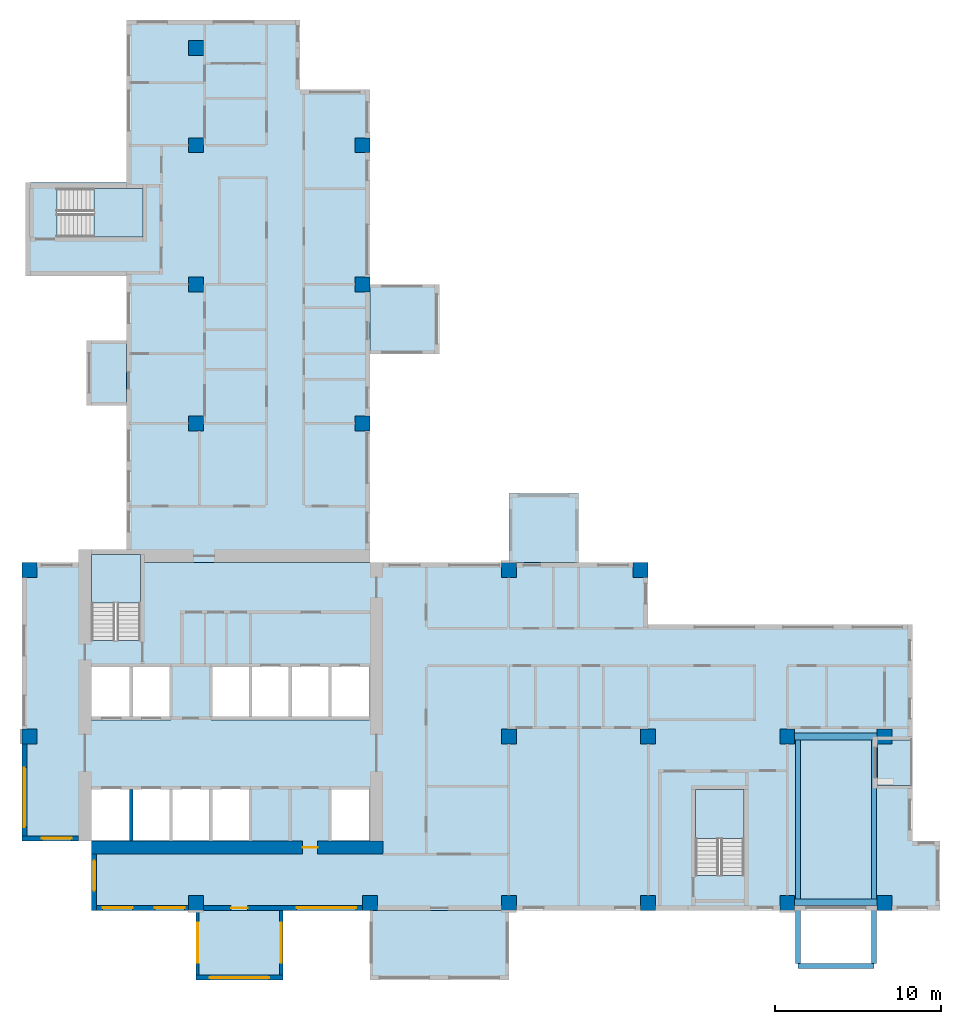
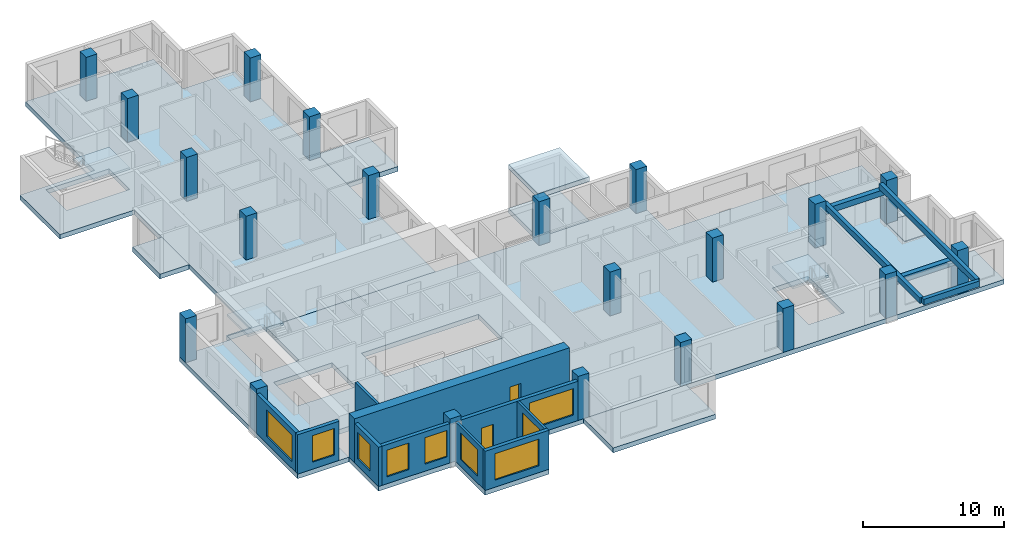
# One storey, part 1 of 12: 21 columns, 12 slabs, 10 walls, 9 windows, 5 beams, 2 doors, 11 openings, 3 elements without a shape of their own.
"""IFC4 building model written with IfcOpenShell, lengths in metres."""

from ifc_helpers import new_model, si_unit, direction, frame, frame_2d, origin, origin_2d, place, context, subcontext, project, spatial, polyline, rectangle, outline, extrude, source, transform, mapped, material, layer, layer_set, material_profile, profile_set, type_object, element, fill, aggregate, save


model = new_model("IFC4")

# Units and contexts
model_context = context("Model", 3, precision=1e-05, world=origin(), true_north=direction((0.0, 1.0)))
body_context = subcontext(model_context, "Body", "Model", "MODEL_VIEW")
ifc_project = project(units=[si_unit("LENGTHUNIT", "METRE"), si_unit("AREAUNIT", "SQUARE_METRE"), si_unit("VOLUMEUNIT", "CUBIC_METRE"), si_unit("PLANEANGLEUNIT", "RADIAN"), si_unit("MASSUNIT", "GRAM", prefix="KILO")], contexts=[model_context])

# Site, building, storey
site_placement = place(None, origin())
site = spatial("IfcSite", under=ifc_project, at=site_placement, CompositionType="ELEMENT")
building_placement = place(site_placement, origin())
building = spatial("IfcBuilding", under=site, at=building_placement, Name="Aurelian Terraces", CompositionType="ELEMENT")
storey_placement = place(building_placement, frame((0.0, 0.0, 219.6)))
storey = spatial("IfcBuildingStorey", under=building, at=storey_placement, Name="L49", CompositionType="ELEMENT", Elevation=219.6)

# Columns
ifc_material_1 = material(Name="Concrete fc' 70 MPa", Category="concrete")
ifc_material_profile_1 = material_profile(ifc_material_1, rectangle(XDim=0.9, YDim=0.9, at=origin_2d()))
ifc_profile_set_1 = profile_set([ifc_material_profile_1], Name="Concrete fc' 70 MPa")
column_type = type_object("IfcColumnType", Name="RC COLUMN 900X900 FC70", PredefinedType="COLUMN", material=ifc_profile_set_1)
shared_shape_1 = source(origin(), body_context, "Body", "SweptSolid", [
    extrude(rectangle(XDim=0.9, YDim=0.9, at=origin_2d()), origin(), (0.0, 0.0, 1.0), 3.8),
])
for number, where, z_axis, x_axis, name in (
    (1, (10.5, 0.45, 0.0), (0.0, 0.0, 1.0), (1.0, 0.0, 0.0), "Column 2/A L49"),
    (2, (21.0, 0.45, 0.0), (0.0, 0.0, 1.0), (1.0, 0.0, 0.0), "Column 3/A L49"),
    (3, (29.4, 0.45, 0.0), (0.0, 0.0, 1.0), (1.0, 0.0, 0.0), "Column 4/A L49"),
    (4, (37.8, 0.45, 0.0), (0.0, 0.0, 1.0), (1.0, 0.0, 0.0), "Column 5/A L49"),
    (5, (46.2, 0.45, 0.0), (0.0, 0.0, 1.0), (1.0, 0.0, 0.0), "Column 6/A L49"),
    (6, (52.08, 0.45, 0.0), (0.0, 0.0, 1.0), (1.0, 0.0, 0.0), "Column 7/A L49"),
    (7, (0.45, 10.5, 0.0), (0.0, 0.0, 1.0), (1.0, 0.0, 0.0), "Column 1/B L49"),
    (8, (29.4, 10.5, 0.0), (0.0, 0.0, 1.0), (1.0, 0.0, 0.0), "Column 4/B L49"),
    (9, (37.8, 10.5, 0.0), (0.0, 0.0, 1.0), (1.0, 0.0, 0.0), "Column 5/B L49"),
    (10, (46.2, 10.5, 0.0), (0.0, 0.0, 1.0), (1.0, 0.0, 0.0), "Column 6/B L49"),
    (11, (52.08, 10.5, 0.0), (0.0, 0.0, 1.0), (1.0, 0.0, 0.0), "Column 7/B L49"),
    (12, (0.45, 20.55, 0.0), (0.0, 0.0, 1.0), (1.0, 0.0, 0.0), "Column 1/C L49"),
    (13, (29.4, 20.55, 0.0), (0.0, 0.0, 1.0), (1.0, 0.0, 0.0), "Column 4/C L49"),
    (14, (37.35, 20.55, 0.0), (0.0, 0.0, 1.0), (1.0, 0.0, 0.0), "Column 5/C L49"),
    (15, (10.5, 29.4, 0.0), (0.0, 0.0, 1.0), (1.0, 0.0, 0.0), "Column 2/D L49"),
    (16, (20.55, 29.4, 0.0), (0.0, 0.0, 1.0), (1.0, 0.0, 0.0), "Column 3/D L49"),
    (17, (10.5, 37.8, 0.0), (0.0, 0.0, 1.0), (1.0, 0.0, 0.0), "Column 2/E L49"),
    (18, (20.55, 37.8, 0.0), (0.0, 0.0, 1.0), (1.0, 0.0, 0.0), "Column 3/E L49"),
    (19, (10.5, 46.2, 0.0), (0.0, 0.0, 1.0), (1.0, 0.0, 0.0), "Column 2/F L49"),
    (20, (20.55, 46.2, 0.0), (0.0, 0.0, 1.0), (1.0, 0.0, 0.0), "Column 3/F L49"),
    (21, (10.5, 52.08, 0.0), (0.0, 0.0, 1.0), (1.0, 0.0, 0.0), "Column 2/G L49"),
):
    element("IfcColumn", number, at=place(storey_placement, frame(where, z_axis=z_axis, x_axis=x_axis)), inside=storey, type_object=column_type, Name=name, PredefinedType="COLUMN", context=body_context, shape_type="MappedRepresentation", body=[
        mapped(shared_shape_1, transform((0.0, 0.0, 0.0), scale=1.0)),
    ])

# Beams
ifc_material_2 = material(Name="Concrete fc' 40 MPa", Category="concrete")
ifc_material_profile_2 = material_profile(ifc_material_2, rectangle(XDim=0.3, YDim=0.5, at=origin_2d()))
ifc_profile_set_2 = profile_set([ifc_material_profile_2], Name="Concrete fc' 40 MPa")
beam_type_1 = type_object("IfcBeamType", Name="CONCRETE CANTILEVER BEAM 300X500", PredefinedType="BEAM", material=ifc_profile_set_2)
shared_shape_2 = source(origin(), body_context, "Body", "SweptSolid", [
    extrude(rectangle(XDim=0.3, YDim=0.5, at=origin_2d()), origin(), (0.0, 0.0, 1.0), 13.7),
])
for number, where, z_axis, x_axis, name in (
    (22, (46.85, -3.2, 3.15), (0.0, 1.0, 0.0), (-1.0, 0.0, 0.0), "Box cantilever beam J74.1"),
    (23, (51.43, -3.2, 3.15), (0.0, 1.0, 0.0), (-1.0, 0.0, 0.0), "Box cantilever beam J74.2"),
):
    element("IfcBeam", number, at=place(storey_placement, frame(where, z_axis=z_axis, x_axis=x_axis)), inside=storey, type_object=beam_type_1, Name=name, PredefinedType="BEAM", context=body_context, shape_type="MappedRepresentation", body=[
        mapped(shared_shape_2, transform((0.0, 0.0, 0.0), scale=1.0)),
    ])
ifc_material_profile_3 = material_profile(ifc_material_2, rectangle(XDim=0.4, YDim=0.5, at=origin_2d()))
ifc_profile_set_3 = profile_set([ifc_material_profile_3], Name="Concrete fc' 40 MPa")
beam_type_2 = type_object("IfcBeamType", Name="CONCRETE EDGE GIRDER 400X500", PredefinedType="BEAM", material=ifc_profile_set_3)
shared_shape_3 = source(origin(), body_context, "Body", "SweptSolid", [
    extrude(rectangle(XDim=0.4, YDim=0.5, at=origin_2d()), origin(), (0.0, 0.0, 1.0), 4.98),
])
for number, where, z_axis, x_axis, name in (
    (24, (46.65, 0.5, 2.65), (1.0, 0.0, 0.0), (0.0, 1.0, 0.0), "Box girder L49 O145"),
    (25, (46.65, 10.5, 2.65), (1.0, 0.0, 0.0), (0.0, 1.0, 0.0), "Box girder L49 I146"),
):
    element("IfcBeam", number, at=place(storey_placement, frame(where, z_axis=z_axis, x_axis=x_axis)), inside=storey, type_object=beam_type_2, Name=name, PredefinedType="BEAM", context=body_context, shape_type="MappedRepresentation", body=[
        mapped(shared_shape_3, transform((0.0, 0.0, 0.0), scale=1.0)),
    ])
shared_shape_4 = source(origin(), body_context, "Body", "SweptSolid", [
    extrude(rectangle(XDim=0.3, YDim=0.5, at=origin_2d()), origin(), (0.0, 0.0, 1.0), 4.58),
])
beam_placement = place(storey_placement, frame((46.85, -3.35, 3.15), z_axis=(1.0, 0.0, 0.0), x_axis=(0.0, 1.0, 0.0)))
element("IfcBeam", 26, at=beam_placement, inside=storey, type_object=beam_type_1, Name="Box tip beam J74", PredefinedType="BEAM", context=body_context, shape_type="MappedRepresentation", body=[
    mapped(shared_shape_4, transform((0.0, 0.0, 0.0), scale=1.0)),
])

# Slabs
ifc_layer_1 = layer(ifc_material_2, 0.41)
ifc_layer_set_1 = layer_set([ifc_layer_1], Name="Box floor 410")
slab_type_1 = type_object("IfcSlabType", Name="Box floor 410", PredefinedType="NOTDEFINED", material=ifc_layer_set_1)
slab_1_placement = place(storey_placement, frame((0.0, 0.0, -0.41)))
element("IfcSlab", 27, at=slab_1_placement, inside=storey, type_object=slab_type_1, Name="Box floor L49 J71", PredefinedType="NOTDEFINED", context=body_context, shape_type="SweptSolid", body=[
    extrude(outline(polyline([(21.0, -4.2), (29.4, -4.2), (29.4, 0.0), (21.0, 0.0), (21.0, -4.2)])), origin(), (0.0, 0.0, 1.0), 0.41),
])
ifc_layer_2 = layer(ifc_material_2, 0.4)
ifc_layer_set_2 = layer_set([ifc_layer_2], Name="PT FLAT PLATE 400")
slab_type_2 = type_object("IfcSlabType", Name="PT FLAT PLATE 400", PredefinedType="FLOOR", material=ifc_layer_set_2)
shared_shape_5 = source(origin(), body_context, "Body", "SweptSolid", [
    extrude(outline(polyline([(6.3, 43.95), (6.3, 49.56), (6.3, 53.76), (10.5, 53.76), (16.8, 53.76), (16.8, 49.56), (21.0, 49.56), (21.0, 21.0), (7.14, 21.0), (7.14, 21.49), (4.21, 21.49), (4.21, 21.0), (4.2, 21.0), (4.2, 21.6), (6.3, 21.6), (6.3, 38.3), (0.2, 38.3), (0.2, 43.95), (6.3, 43.95)]), holes=[polyline([(7.29, 43.59), (2.11, 43.59), (2.11, 40.66), (7.29, 40.66), (7.29, 43.59)])]), origin(), (0.0, 0.0, 1.0), 0.4),
])
slab_2_placement = place(storey_placement, frame((0.0, 0.0, -0.4)))
element("IfcSlab", 28, at=slab_2_placement, inside=storey, type_object=slab_type_2, Name="Floor slab W L49", PredefinedType="FLOOR", context=body_context, shape_type="MappedRepresentation", body=[
    mapped(shared_shape_5, transform((0.0, 0.0, 0.0), scale=1.0)),
])
shared_shape_6 = source(origin(), body_context, "Body", "SweptSolid", [
    extrude(outline(polyline([(21.0, 0.0), (4.2, 0.0), (4.2, 4.2), (0.0, 4.2), (0.0, 21.0), (4.21, 21.0), (4.21, 16.31), (7.14, 16.31), (7.14, 21.0), (21.0, 21.0), (37.8, 21.0), (37.8, 17.25), (53.76, 17.25), (53.76, 4.2), (55.44, 4.2), (55.44, 0.0), (21.0, 0.0)]), holes=[polyline([(40.66, 2.11), (43.59, 2.11), (43.59, 7.29), (40.66, 7.29), (40.66, 2.11)]), polyline([(18.61, 7.49), (18.61, 4.21), (20.99, 4.21), (20.99, 7.49), (18.61, 7.49)]), polyline([(20.99, 14.89), (11.41, 14.89), (11.41, 11.51), (20.99, 11.51), (20.99, 14.89)]), polyline([(4.21, 7.49), (4.21, 4.21), (13.79, 4.21), (13.79, 7.49), (4.21, 7.49)]), polyline([(4.21, 14.89), (4.21, 11.51), (8.99, 11.51), (8.99, 14.89), (4.21, 14.89)])]), origin(), (0.0, 0.0, 1.0), 0.4),
])
slab_3_placement = place(storey_placement, frame((0.0, 0.0, -0.4)))
element("IfcSlab", 29, at=slab_3_placement, inside=storey, type_object=slab_type_2, Name="Floor slab S L49", PredefinedType="FLOOR", context=body_context, shape_type="MappedRepresentation", body=[
    mapped(shared_shape_6, transform((0.0, 0.0, 0.0), scale=1.0)),
])
shared_shape_7 = source(origin(), body_context, "Body", "SweptSolid", [
    extrude(outline(polyline([(25.2, 33.6), (25.2, 37.8), (21.0, 37.8), (21.0, 33.6), (25.2, 33.6)])), origin(), (0.0, 0.0, 1.0), 0.41),
])
slab_4_placement = place(storey_placement, frame((0.0, 0.0, -0.41)))
element("IfcSlab", 30, at=slab_4_placement, inside=storey, type_object=slab_type_1, Name="Box floor L49 J72", PredefinedType="NOTDEFINED", context=body_context, shape_type="MappedRepresentation", body=[
    mapped(shared_shape_7, transform((0.0, 0.0, 0.0), scale=1.0)),
])
shared_shape_8 = source(origin(), body_context, "Body", "SweptSolid", [
    extrude(outline(polyline([(3.9, 34.4), (3.9, 30.5), (6.3, 30.5), (6.3, 34.4), (3.9, 34.4)])), origin(), (0.0, 0.0, 1.0), 0.41),
])
slab_5_placement = place(storey_placement, frame((0.0, 0.0, -0.41)))
element("IfcSlab", 31, at=slab_5_placement, inside=storey, type_object=slab_type_1, Name="Box floor L49 J73", PredefinedType="NOTDEFINED", context=body_context, shape_type="MappedRepresentation", body=[
    mapped(shared_shape_8, transform((0.0, 0.0, 0.0), scale=1.0)),
])
shared_shape_9 = source(origin(), body_context, "Body", "SweptSolid", [
    extrude(outline(polyline([(33.6, 25.2), (29.4, 25.2), (29.4, 21.0), (33.6, 21.0), (33.6, 25.2)])), origin(), (0.0, 0.0, 1.0), 0.41),
])
slab_6_placement = place(storey_placement, frame((0.0, 0.0, -0.41)))
element("IfcSlab", 32, at=slab_6_placement, inside=storey, type_object=slab_type_1, Name="Box floor L49 J69", PredefinedType="NOTDEFINED", context=body_context, shape_type="MappedRepresentation", body=[
    mapped(shared_shape_9, transform((0.0, 0.0, 0.0), scale=1.0)),
])
shared_shape_10 = source(origin(), body_context, "Body", "SweptSolid", [
    extrude(outline(polyline([(10.5, -4.2), (15.75, -4.2), (15.75, 0.0), (10.5, 0.0), (10.5, -4.2)])), origin(), (0.0, 0.0, 1.0), 0.41),
])
slab_7_placement = place(storey_placement, frame((0.0, 0.0, -0.41)))
element("IfcSlab", 33, at=slab_7_placement, inside=storey, type_object=slab_type_1, Name="Box floor L49 J70", PredefinedType="NOTDEFINED", context=body_context, shape_type="MappedRepresentation", body=[
    mapped(shared_shape_10, transform((0.0, 0.0, 0.0), scale=1.0)),
])
ifc_layer_3 = layer(ifc_material_2, 0.4)
ifc_layer_set_3 = layer_set([ifc_layer_3], Name="Box roof 400")
slab_type_3 = type_object("IfcSlabType", Name="Box roof 400", PredefinedType="ROOF", material=ifc_layer_set_3)
shared_shape_11 = source(origin(), body_context, "Body", "SweptSolid", [
    extrude(outline(polyline([(33.6, 25.2), (29.4, 25.2), (29.4, 21.0), (33.6, 21.0), (33.6, 25.2)])), origin(), (0.0, 0.0, 1.0), 0.4),
])
slab_8_placement = place(storey_placement, frame((0.0, 0.0, 3.4)))
element("IfcSlab", 34, at=slab_8_placement, inside=storey, type_object=slab_type_3, Name="Box roof J69", PredefinedType="ROOF", context=body_context, shape_type="MappedRepresentation", body=[
    mapped(shared_shape_11, transform((0.0, 0.0, 0.0), scale=1.0)),
])
ifc_material_3 = material(Name="Granite paving", Category="masonry")
ifc_layer_4 = layer(ifc_material_3, 0.05)
ifc_layer_set_4 = layer_set([ifc_layer_4], Name="Loggia paving 50")
slab_type_4 = type_object("IfcSlabType", Name="Loggia paving 50", PredefinedType="NOTDEFINED", material=ifc_layer_set_4)
shared_shape_12 = source(origin(), body_context, "Body", "SweptSolid", [
    extrude(outline(polyline([(53.76, 7.55), (53.76, 10.3), (51.66, 10.3), (51.66, 7.55), (53.76, 7.55)])), origin(), (0.0, 0.0, 1.0), 0.05),
])
slab_9_placement = place(storey_placement, origin())
element("IfcSlab", 35, at=slab_9_placement, inside=storey, type_object=slab_type_4, Name="Loggia floor L49 F04.11", PredefinedType="NOTDEFINED", context=body_context, shape_type="MappedRepresentation", body=[
    mapped(shared_shape_12, transform((0.0, 0.0, 0.0), scale=1.0)),
])

# Stair, slab
stair_type = type_object("IfcStairType", Name="Stair 1400", PredefinedType="HALF_TURN_STAIR", material=ifc_material_2)
stair_1_placement = place(storey_placement, origin())
stair_1 = element("IfcStair", 36, at=stair_1_placement, inside=storey, type_object=stair_type, Name="L49 S1", PredefinedType="HALF_TURN_STAIR")
ifc_layer_5 = layer(ifc_material_2, 0.2)
ifc_layer_set_5 = layer_set([ifc_layer_5], Name="Stair landing 200")
slab_type_5 = type_object("IfcSlabType", Name="Stair landing 200", PredefinedType="LANDING", material=ifc_layer_set_5)
shared_shape_13 = source(origin(), body_context, "Body", "SweptSolid", [
    extrude(outline(polyline([(7.15, 18.55), (7.15, 21.5), (4.2, 21.5), (4.2, 18.55), (7.15, 18.55)])), origin(), (0.0, 0.0, 1.0), 0.2),
])
slab_10_placement = place(storey_placement, frame((0.0, 0.0, 1.7)))
slab_10 = element("IfcSlab", 37, at=slab_10_placement, type_object=slab_type_5, Name="S1 landing 1", PredefinedType="LANDING", context=body_context, shape_type="MappedRepresentation", body=[
    mapped(shared_shape_13, transform((0.0, 0.0, 0.0), scale=1.0)),
])
aggregate(stair_1, [slab_10])

stair_2_placement = place(storey_placement, origin())
stair_2 = element("IfcStair", 38, at=stair_2_placement, inside=storey, type_object=stair_type, Name="L49 S2", PredefinedType="HALF_TURN_STAIR")
shared_shape_14 = source(origin(), body_context, "Body", "SweptSolid", [
    extrude(outline(polyline([(43.6, 4.35), (43.6, 7.3), (40.65, 7.3), (40.65, 4.35), (43.6, 4.35)])), origin(), (0.0, 0.0, 1.0), 0.2),
])
slab_11_placement = place(storey_placement, frame((0.0, 0.0, 1.7)))
slab_11 = element("IfcSlab", 39, at=slab_11_placement, type_object=slab_type_5, Name="S2 landing 1", PredefinedType="LANDING", context=body_context, shape_type="MappedRepresentation", body=[
    mapped(shared_shape_14, transform((0.0, 0.0, 0.0), scale=1.0)),
])
aggregate(stair_2, [slab_11])

stair_3_placement = place(storey_placement, origin())
stair_3 = element("IfcStair", 40, at=stair_3_placement, inside=storey, type_object=stair_type, Name="L49 S3", PredefinedType="HALF_TURN_STAIR")
shared_shape_15 = source(origin(), body_context, "Body", "SweptSolid", [
    extrude(outline(polyline([(4.35, 40.65), (7.3, 40.65), (7.3, 43.6), (4.35, 43.6), (4.35, 40.65)])), origin(), (0.0, 0.0, 1.0), 0.2),
])
slab_12_placement = place(storey_placement, frame((0.0, 0.0, 1.7)))
slab_12 = element("IfcSlab", 41, at=slab_12_placement, type_object=slab_type_5, Name="S3 landing 1", PredefinedType="LANDING", context=body_context, shape_type="MappedRepresentation", body=[
    mapped(shared_shape_15, transform((0.0, 0.0, 0.0), scale=1.0)),
])
aggregate(stair_3, [slab_12])

# Wall, opening, door
ifc_layer_6 = layer(ifc_material_1, 0.8)
ifc_layer_set_6 = layer_set([ifc_layer_6], Name="CORE WALL 800 FC70")
wall_type_1 = type_object("IfcWallType", Name="CORE WALL 800 FC70", PredefinedType="SHEAR", material=ifc_layer_set_6)
shared_shape_16 = source(origin(), body_context, "Body", "SweptSolid", [
    extrude(rectangle(XDim=17.6, YDim=0.8, at=frame_2d((8.8, 0.0))), origin(), (0.0, 0.0, 1.0), 3.8),
])
wall_1_placement = place(storey_placement, frame((4.2, 3.8, 0.0), z_axis=(0.0, 0.0, 1.0), x_axis=(1.0, 0.0, 0.0)))
wall_1 = element("IfcWall", 42, at=wall_1_placement, inside=storey, type_object=wall_type_1, Name="Core wall S L49", PredefinedType="SHEAR", context=body_context, shape_type="MappedRepresentation", body=[
    mapped(shared_shape_16, transform((0.0, 0.0, 0.0), scale=1.0)),
])
shared_shape_17 = source(origin(), body_context, "Body", "SweptSolid", [
    extrude(rectangle(XDim=0.9, YDim=2.1, at=frame_2d((0.45, 1.05))), frame((0.0, 0.41, 0.0), z_axis=(0.0, -1.0, 0.0), x_axis=(1.0, 0.0, 0.0)), (0.0, 0.0, 1.0), 0.82),
])
opening_1_placement = place(wall_1_placement, frame((12.75, 0.0, 0.0)))
opening_1 = element("IfcOpeningElement", 43, at=opening_1_placement, cuts=wall_1, Name="Opening 65227", PredefinedType="OPENING", context=body_context, shape_type="MappedRepresentation", body=[
    mapped(shared_shape_17, transform((0.0, 0.0, 0.0), scale=1.0)),
])
ifc_material_4 = material(Name="Steel door leaf", Category="steel")
door_type_1 = type_object("IfcDoorType", Name="Core service door 900x2100", OperationType="SINGLE_SWING_LEFT", PredefinedType="DOOR", material=ifc_material_4)
shared_shape_18 = source(origin(), body_context, "Body", "SweptSolid", [
    extrude(rectangle(XDim=0.9, YDim=2.1, at=frame_2d((0.45, 1.05))), frame((0.0, 0.025, 0.0), z_axis=(0.0, -1.0, 0.0), x_axis=(1.0, 0.0, 0.0)), (0.0, 0.0, 1.0), 0.05),
])
door_1_placement = place(opening_1_placement, origin())
door_1 = element("IfcDoor", 44, at=door_1_placement, inside=storey, type_object=door_type_1, Name="Core door 65227", OperationType="SINGLE_SWING_LEFT", OverallHeight=2.1, OverallWidth=0.9, PredefinedType="DOOR", context=body_context, shape_type="MappedRepresentation", body=[
    mapped(shared_shape_18, transform((0.0, 0.0, 0.0), scale=1.0)),
])
fill(opening_1, door_1)

# Wall, opening, window
ifc_material_5 = material(Name="Terracotta rainscreen cladding", Category="masonry")
ifc_layer_7 = layer(ifc_material_5, 0.3)
ifc_layer_set_7 = layer_set([ifc_layer_7], Name="EW-300")
wall_type_2 = type_object("IfcWallType", Name="EW-300", PredefinedType="STANDARD", material=ifc_layer_set_7)
shared_shape_19 = source(origin(), body_context, "Body", "SweptSolid", [
    extrude(rectangle(XDim=3.4, YDim=0.3, at=frame_2d((1.7, 0.0))), origin(), (0.0, 0.0, 1.0), 3.4),
])
wall_2_placement = place(storey_placement, frame((0.0, 4.35, 0.0), z_axis=(0.0, 0.0, 1.0), x_axis=(1.0, 0.0, 0.0)))
wall_2 = element("IfcWall", 45, at=wall_2_placement, inside=storey, type_object=wall_type_2, Name="External wall L49 F21.34", PredefinedType="STANDARD", context=body_context, shape_type="MappedRepresentation", body=[
    mapped(shared_shape_19, transform((0.0, 0.0, 0.0), scale=1.0)),
])
shared_shape_20 = source(origin(), body_context, "Body", "SweptSolid", [
    extrude(rectangle(XDim=1.8, YDim=2.3, at=frame_2d((0.9, 1.15))), frame((0.0, 0.16, 0.0), z_axis=(0.0, -1.0, 0.0), x_axis=(1.0, 0.0, 0.0)), (0.0, 0.0, 1.0), 0.32),
])
opening_2_placement = place(wall_2_placement, frame((1.2, 0.0, 0.6)))
opening_2 = element("IfcOpeningElement", 46, at=opening_2_placement, cuts=wall_2, Name="Opening W1823", PredefinedType="OPENING", context=body_context, shape_type="MappedRepresentation", body=[
    mapped(shared_shape_20, transform((0.0, 0.0, 0.0), scale=1.0)),
])
ifc_material_6 = material(Name="Clear glazing", Category="glass")
window_type_1 = type_object("IfcWindowType", Name="W-1800x2300", PartitioningType="SINGLE_PANEL", PredefinedType="WINDOW", material=ifc_material_6)
shared_shape_21 = source(origin(), body_context, "Body", "SweptSolid", [
    extrude(rectangle(XDim=1.8, YDim=2.3, at=frame_2d((0.9, 1.15))), frame((0.0, 0.03, 0.0), z_axis=(0.0, -1.0, 0.0), x_axis=(1.0, 0.0, 0.0)), (0.0, 0.0, 1.0), 0.06),
])
window_1_placement = place(opening_2_placement, origin())
window_1 = element("IfcWindow", 47, at=window_1_placement, inside=storey, type_object=window_type_1, Name="Window L49 L49-F21-34-0", OverallHeight=2.3, OverallWidth=1.8, PartitioningType="SINGLE_PANEL", PredefinedType="WINDOW", context=body_context, shape_type="MappedRepresentation", body=[
    mapped(shared_shape_21, transform((0.0, 0.0, 0.0), scale=1.0)),
])
fill(opening_2, window_1)

wall_3_placement = place(storey_placement, frame((4.35, 3.4, 0.0), z_axis=(0.0, 0.0, 1.0), x_axis=(0.0, -1.0, 0.0)))
wall_3 = element("IfcWall", 48, at=wall_3_placement, inside=storey, type_object=wall_type_2, Name="External wall L49 F22.35", PredefinedType="STANDARD", context=body_context, shape_type="MappedRepresentation", body=[
    mapped(shared_shape_19, transform((0.0, 0.0, 0.0), scale=1.0)),
])
opening_3_placement = place(wall_3_placement, frame((0.4, 0.0, 0.6)))
opening_3 = element("IfcOpeningElement", 49, at=opening_3_placement, cuts=wall_3, Name="Opening W1823", PredefinedType="OPENING", context=body_context, shape_type="MappedRepresentation", body=[
    mapped(shared_shape_20, transform((0.0, 0.0, 0.0), scale=1.0)),
])
window_2_placement = place(opening_3_placement, origin())
window_2 = element("IfcWindow", 50, at=window_2_placement, inside=storey, type_object=window_type_1, Name="Window L49 L49-F22-35-0", OverallHeight=2.3, OverallWidth=1.8, PartitioningType="SINGLE_PANEL", PredefinedType="WINDOW", context=body_context, shape_type="MappedRepresentation", body=[
    mapped(shared_shape_21, transform((0.0, 0.0, 0.0), scale=1.0)),
])
fill(opening_3, window_2)

ifc_layer_8 = layer(ifc_material_2, 0.2)
ifc_layer_set_8 = layer_set([ifc_layer_8], Name="BOX BEARING WALL 200")
wall_type_3 = type_object("IfcWallType", Name="BOX BEARING WALL 200", PredefinedType="SOLIDWALL", material=ifc_layer_set_8)
shared_shape_22 = source(origin(), body_context, "Body", "SweptSolid", [
    extrude(rectangle(XDim=3.9, YDim=0.2, at=frame_2d((1.95, 0.0))), origin(), (0.0, 0.0, 1.0), 3.39),
])
wall_4_placement = place(storey_placement, frame((10.6, 0.0, 0.0), z_axis=(0.0, 0.0, 1.0), x_axis=(0.0, -1.0, 0.0)))
wall_4 = element("IfcWall", 51, at=wall_4_placement, inside=storey, type_object=wall_type_3, Name="Box return L49 J70.1", PredefinedType="SOLIDWALL", context=body_context, shape_type="MappedRepresentation", body=[
    mapped(shared_shape_22, transform((0.0, 0.0, 0.0), scale=1.0)),
])
shared_shape_23 = source(origin(), body_context, "Body", "SweptSolid", [
    extrude(rectangle(XDim=2.4, YDim=2.3, at=frame_2d((1.2, 1.15))), frame((0.0, 0.11, 0.0), z_axis=(0.0, -1.0, 0.0), x_axis=(1.0, 0.0, 0.0)), (0.0, 0.0, 1.0), 0.22),
])
opening_4_placement = place(wall_4_placement, frame((0.75, 0.0, 0.6)))
opening_4 = element("IfcOpeningElement", 52, at=opening_4_placement, cuts=wall_4, Name="Opening W2423", PredefinedType="OPENING", context=body_context, shape_type="MappedRepresentation", body=[
    mapped(shared_shape_23, transform((0.0, 0.0, 0.0), scale=1.0)),
])
window_type_2 = type_object("IfcWindowType", Name="W-2400x2300", PartitioningType="SINGLE_PANEL", PredefinedType="WINDOW", material=ifc_material_6)
shared_shape_24 = source(origin(), body_context, "Body", "SweptSolid", [
    extrude(rectangle(XDim=2.4, YDim=2.3, at=frame_2d((1.2, 1.15))), frame((0.0, 0.03, 0.0), z_axis=(0.0, -1.0, 0.0), x_axis=(1.0, 0.0, 0.0)), (0.0, 0.0, 1.0), 0.06),
])
window_3_placement = place(opening_4_placement, origin())
window_3 = element("IfcWindow", 53, at=window_3_placement, inside=storey, type_object=window_type_2, Name="Window L49 J70-S1", OverallHeight=2.3, OverallWidth=2.4, PartitioningType="SINGLE_PANEL", PredefinedType="WINDOW", context=body_context, shape_type="MappedRepresentation", body=[
    mapped(shared_shape_24, transform((0.0, 0.0, 0.0), scale=1.0)),
])
fill(opening_4, window_3)

wall_5_placement = place(storey_placement, frame((15.65, 0.0, 0.0), z_axis=(0.0, 0.0, 1.0), x_axis=(0.0, -1.0, 0.0)))
wall_5 = element("IfcWall", 54, at=wall_5_placement, inside=storey, type_object=wall_type_3, Name="Box return L49 J70.2", PredefinedType="SOLIDWALL", context=body_context, shape_type="MappedRepresentation", body=[
    mapped(shared_shape_22, transform((0.0, 0.0, 0.0), scale=1.0)),
])
opening_5_placement = place(wall_5_placement, frame((0.75, 0.0, 0.6)))
opening_5 = element("IfcOpeningElement", 55, at=opening_5_placement, cuts=wall_5, Name="Opening W2423", PredefinedType="OPENING", context=body_context, shape_type="MappedRepresentation", body=[
    mapped(shared_shape_23, transform((0.0, 0.0, 0.0), scale=1.0)),
])
window_4_placement = place(opening_5_placement, origin())
window_4 = element("IfcWindow", 56, at=window_4_placement, inside=storey, type_object=window_type_2, Name="Window L49 J70-S2", OverallHeight=2.3, OverallWidth=2.4, PartitioningType="SINGLE_PANEL", PredefinedType="WINDOW", context=body_context, shape_type="MappedRepresentation", body=[
    mapped(shared_shape_24, transform((0.0, 0.0, 0.0), scale=1.0)),
])
fill(opening_5, window_4)

# Wall, openings, windows
shared_shape_25 = source(origin(), body_context, "Body", "SweptSolid", [
    extrude(rectangle(XDim=5.85, YDim=0.3, at=frame_2d((2.925, 0.0))), origin(), (0.0, 0.0, 1.0), 3.4),
])
wall_6_placement = place(storey_placement, frame((4.2, 0.15, 0.0), z_axis=(0.0, 0.0, 1.0), x_axis=(1.0, 0.0, 0.0)))
wall_6 = element("IfcWall", 57, at=wall_6_placement, inside=storey, type_object=wall_type_2, Name="External wall L49 F01.1", PredefinedType="STANDARD", context=body_context, shape_type="MappedRepresentation", body=[
    mapped(shared_shape_25, transform((0.0, 0.0, 0.0), scale=1.0)),
])
opening_6_placement = place(wall_6_placement, frame((0.675, 0.0, 0.6)))
opening_6 = element("IfcOpeningElement", 58, at=opening_6_placement, cuts=wall_6, Name="Opening W1823", PredefinedType="OPENING", context=body_context, shape_type="MappedRepresentation", body=[
    mapped(shared_shape_20, transform((0.0, 0.0, 0.0), scale=1.0)),
])
opening_7_placement = place(wall_6_placement, frame((3.825, 0.0, 0.6)))
opening_7 = element("IfcOpeningElement", 59, at=opening_7_placement, cuts=wall_6, Name="Opening W1823", PredefinedType="OPENING", context=body_context, shape_type="MappedRepresentation", body=[
    mapped(shared_shape_20, transform((0.0, 0.0, 0.0), scale=1.0)),
])
window_5_placement = place(opening_6_placement, origin())
window_5 = element("IfcWindow", 60, at=window_5_placement, inside=storey, type_object=window_type_1, Name="Window L49 L49-F01-01-0", OverallHeight=2.3, OverallWidth=1.8, PartitioningType="SINGLE_PANEL", PredefinedType="WINDOW", context=body_context, shape_type="MappedRepresentation", body=[
    mapped(shared_shape_21, transform((0.0, 0.0, 0.0), scale=1.0)),
])
fill(opening_6, window_5)
window_6_placement = place(opening_7_placement, origin())
window_6 = element("IfcWindow", 61, at=window_6_placement, inside=storey, type_object=window_type_1, Name="Window L49 L49-F01-01-1", OverallHeight=2.3, OverallWidth=1.8, PartitioningType="SINGLE_PANEL", PredefinedType="WINDOW", context=body_context, shape_type="MappedRepresentation", body=[
    mapped(shared_shape_21, transform((0.0, 0.0, 0.0), scale=1.0)),
])
fill(opening_7, window_6)

# Wall, opening, window
wall_7_placement = place(storey_placement, frame((0.15, 10.05, 0.0), z_axis=(0.0, 0.0, 1.0), x_axis=(0.0, -1.0, 0.0)))
wall_7 = element("IfcWall", 62, at=wall_7_placement, inside=storey, type_object=wall_type_2, Name="External wall L49 F20.33", PredefinedType="STANDARD", context=body_context, shape_type="MappedRepresentation", body=[
    mapped(shared_shape_25, transform((0.0, 0.0, 0.0), scale=1.0)),
])
shared_shape_26 = source(origin(), body_context, "Body", "SweptSolid", [
    extrude(rectangle(XDim=3.6, YDim=2.3, at=frame_2d((1.8, 1.15))), frame((0.0, 0.16, 0.0), z_axis=(0.0, -1.0, 0.0), x_axis=(1.0, 0.0, 0.0)), (0.0, 0.0, 1.0), 0.32),
])
opening_8_placement = place(wall_7_placement, frame((1.425, 0.0, 0.6)))
opening_8 = element("IfcOpeningElement", 63, at=opening_8_placement, cuts=wall_7, Name="Opening W3623", PredefinedType="OPENING", context=body_context, shape_type="MappedRepresentation", body=[
    mapped(shared_shape_26, transform((0.0, 0.0, 0.0), scale=1.0)),
])
window_type_3 = type_object("IfcWindowType", Name="W-3600x2300", PartitioningType="SINGLE_PANEL", PredefinedType="WINDOW", material=ifc_material_6)
shared_shape_27 = source(origin(), body_context, "Body", "SweptSolid", [
    extrude(rectangle(XDim=3.6, YDim=2.3, at=frame_2d((1.8, 1.15))), frame((0.0, 0.03, 0.0), z_axis=(0.0, -1.0, 0.0), x_axis=(1.0, 0.0, 0.0)), (0.0, 0.0, 1.0), 0.06),
])
window_7_placement = place(opening_8_placement, origin())
window_7 = element("IfcWindow", 64, at=window_7_placement, inside=storey, type_object=window_type_3, Name="Window L49 L49-F20-33-3", OverallHeight=2.3, OverallWidth=3.6, PartitioningType="SINGLE_PANEL", PredefinedType="WINDOW", context=body_context, shape_type="MappedRepresentation", body=[
    mapped(shared_shape_27, transform((0.0, 0.0, 0.0), scale=1.0)),
])
fill(opening_8, window_7)

# Wall, openings, window, door
shared_shape_28 = source(origin(), body_context, "Body", "SweptSolid", [
    extrude(rectangle(XDim=9.6, YDim=0.3, at=frame_2d((4.8, 0.0))), origin(), (0.0, 0.0, 1.0), 3.4),
])
wall_8_placement = place(storey_placement, frame((10.95, 0.15, 0.0), z_axis=(0.0, 0.0, 1.0), x_axis=(1.0, 0.0, 0.0)))
wall_8 = element("IfcWall", 65, at=wall_8_placement, inside=storey, type_object=wall_type_2, Name="External wall L49 F01.2", PredefinedType="STANDARD", context=body_context, shape_type="MappedRepresentation", body=[
    mapped(shared_shape_28, transform((0.0, 0.0, 0.0), scale=1.0)),
])
opening_9_placement = place(wall_8_placement, frame((5.625, 0.0, 0.6)))
opening_9 = element("IfcOpeningElement", 66, at=opening_9_placement, cuts=wall_8, Name="Opening W3623", PredefinedType="OPENING", context=body_context, shape_type="MappedRepresentation", body=[
    mapped(shared_shape_26, transform((0.0, 0.0, 0.0), scale=1.0)),
])
shared_shape_29 = source(origin(), body_context, "Body", "SweptSolid", [
    extrude(rectangle(XDim=1.0, YDim=2.1, at=frame_2d((0.5, 1.05))), frame((0.0, 0.16, 0.0), z_axis=(0.0, -1.0, 0.0), x_axis=(1.0, 0.0, 0.0)), (0.0, 0.0, 1.0), 0.32),
])
opening_10_placement = place(wall_8_placement, frame((1.675, 0.0, 0.0)))
opening_10 = element("IfcOpeningElement", 67, at=opening_10_placement, cuts=wall_8, Name="Opening 849002", PredefinedType="OPENING", context=body_context, shape_type="MappedRepresentation", body=[
    mapped(shared_shape_29, transform((0.0, 0.0, 0.0), scale=1.0)),
])
window_8_placement = place(opening_9_placement, origin())
window_8 = element("IfcWindow", 68, at=window_8_placement, inside=storey, type_object=window_type_3, Name="Window L49 L49-F01-02-1", OverallHeight=2.3, OverallWidth=3.6, PartitioningType="SINGLE_PANEL", PredefinedType="WINDOW", context=body_context, shape_type="MappedRepresentation", body=[
    mapped(shared_shape_27, transform((0.0, 0.0, 0.0), scale=1.0)),
])
fill(opening_9, window_8)
ifc_material_7 = material(Name="Timber door leaf", Category="wood")
door_type_2 = type_object("IfcDoorType", Name="Room door 1000x2100 left", OperationType="SINGLE_SWING_LEFT", PredefinedType="DOOR", material=ifc_material_7)
shared_shape_30 = source(origin(), body_context, "Body", "SweptSolid", [
    extrude(rectangle(XDim=1.0, YDim=2.1, at=frame_2d((0.5, 1.05))), frame((0.0, 0.025, 0.0), z_axis=(0.0, -1.0, 0.0), x_axis=(1.0, 0.0, 0.0)), (0.0, 0.0, 1.0), 0.05),
])
door_2_placement = place(opening_10_placement, origin())
door_2 = element("IfcDoor", 69, at=door_2_placement, inside=storey, type_object=door_type_2, Name="Door 849002", OperationType="SINGLE_SWING_LEFT", OverallHeight=2.1, OverallWidth=1.0, PredefinedType="DOOR", context=body_context, shape_type="MappedRepresentation", body=[
    mapped(shared_shape_30, transform((0.0, 0.0, 0.0), scale=1.0)),
])
fill(opening_10, door_2)

# Wall, opening, window
ifc_layer_9 = layer(ifc_material_2, 0.3)
ifc_layer_set_9 = layer_set([ifc_layer_9], Name="BOX BEARING WALL 300")
wall_type_4 = type_object("IfcWallType", Name="BOX BEARING WALL 300", PredefinedType="SOLIDWALL", material=ifc_layer_set_9)
shared_shape_31 = source(origin(), body_context, "Body", "SweptSolid", [
    extrude(rectangle(XDim=5.25, YDim=0.3, at=frame_2d((2.625, 0.0))), origin(), (0.0, 0.0, 1.0), 3.39),
])
wall_9_placement = place(storey_placement, frame((10.5, -4.05, 0.0), z_axis=(0.0, 0.0, 1.0), x_axis=(1.0, 0.0, 0.0)))
wall_9 = element("IfcWall", 70, at=wall_9_placement, inside=storey, type_object=wall_type_4, Name="Box wall L49 J70", PredefinedType="SOLIDWALL", context=body_context, shape_type="MappedRepresentation", body=[
    mapped(shared_shape_31, transform((0.0, 0.0, 0.0), scale=1.0)),
])
opening_11_placement = place(wall_9_placement, frame((0.825, 0.0, 0.6)))
opening_11 = element("IfcOpeningElement", 71, at=opening_11_placement, cuts=wall_9, Name="Opening W3623", PredefinedType="OPENING", context=body_context, shape_type="MappedRepresentation", body=[
    mapped(shared_shape_26, transform((0.0, 0.0, 0.0), scale=1.0)),
])
window_9_placement = place(opening_11_placement, origin())
window_9 = element("IfcWindow", 72, at=window_9_placement, inside=storey, type_object=window_type_3, Name="Window L49 J70-F1", OverallHeight=2.3, OverallWidth=3.6, PartitioningType="SINGLE_PANEL", PredefinedType="WINDOW", context=body_context, shape_type="MappedRepresentation", body=[
    mapped(shared_shape_27, transform((0.0, 0.0, 0.0), scale=1.0)),
])
fill(opening_11, window_9)

# Wall
ifc_layer_10 = layer(ifc_material_2, 0.2)
ifc_layer_set_10 = layer_set([ifc_layer_10], Name="Lift shaft wall 200")
wall_type_5 = type_object("IfcWallType", Name="Lift shaft wall 200", PredefinedType="SOLIDWALL", material=ifc_layer_set_10)
shared_shape_32 = source(origin(), body_context, "Body", "SweptSolid", [
    extrude(rectangle(XDim=3.1, YDim=0.2, at=frame_2d((1.55, 0.0))), origin(), (0.0, 0.0, 1.0), 3.8),
])
wall_10_placement = place(storey_placement, frame((6.6, 4.2, 0.0), z_axis=(0.0, 0.0, 1.0), x_axis=(0.0, 1.0, 0.0)))
element("IfcWall", 73, at=wall_10_placement, inside=storey, type_object=wall_type_5, Name="L49 core wall CD-A1", PredefinedType="SOLIDWALL", context=body_context, shape_type="MappedRepresentation", body=[
    mapped(shared_shape_32, transform((0.0, 0.0, 0.0), scale=1.0)),
])

save(model, "model.ifc")
